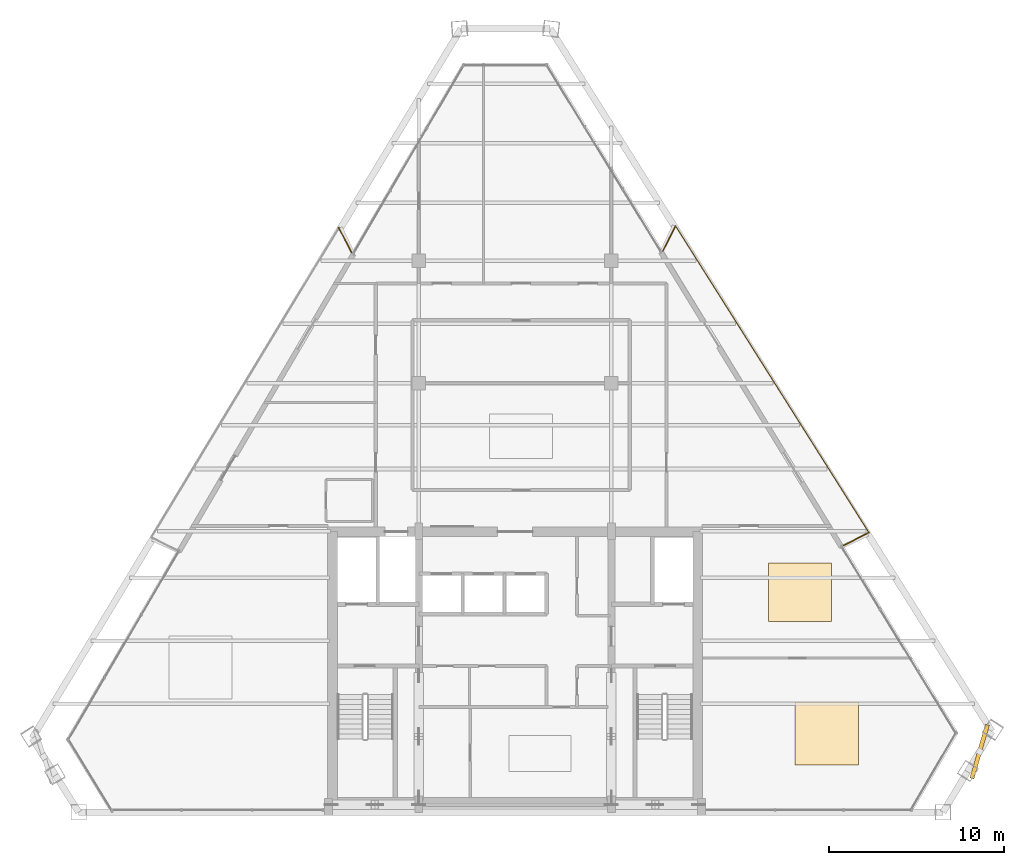
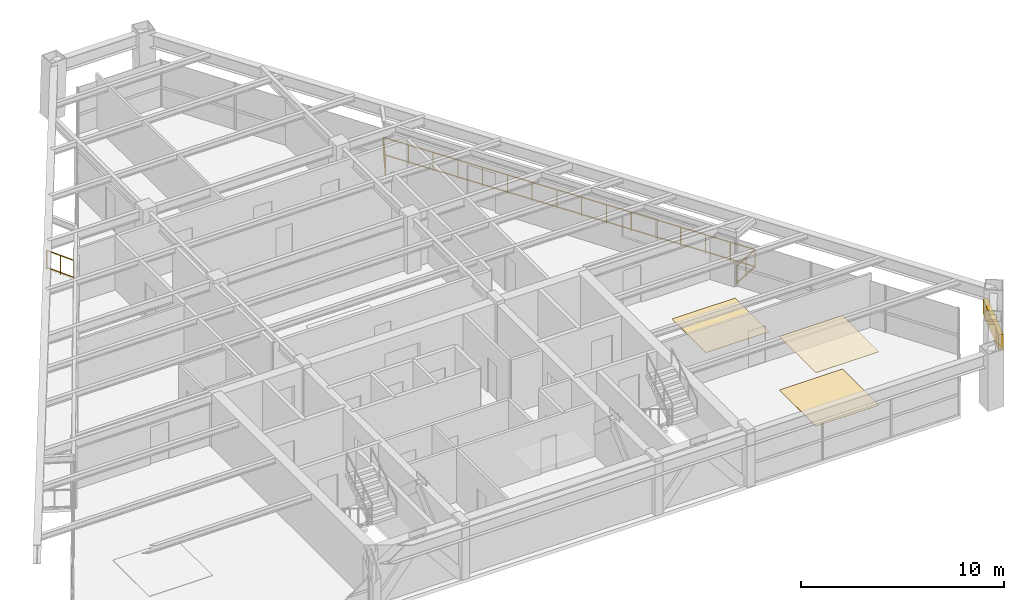
# One storey, part 13 of 13: 4 railings, 3 coverings, 1 shading device.
"""IFC4 building model written with IfcOpenShell, lengths in metres."""

from ifc_helpers import new_model, si_unit, direction, frame, origin, origin_2d, place, context, subcontext, project, spatial, rectangle, extrude, source, transform, mapped, material, layer, layer_set, type_object, type_shapes, element, save


model = new_model("IFC4")

# Units and contexts
model_context = context("Model", 3, precision=1e-05, world=origin(), true_north=direction((0.0, 1.0)))
body_context = subcontext(model_context, "Body", "Model", "MODEL_VIEW")
ifc_project = project(units=[si_unit("LENGTHUNIT", "METRE"), si_unit("AREAUNIT", "SQUARE_METRE"), si_unit("VOLUMEUNIT", "CUBIC_METRE"), si_unit("PLANEANGLEUNIT", "RADIAN"), si_unit("MASSUNIT", "GRAM", prefix="KILO")], contexts=[model_context])

# Site, building, storey
site_placement = place(None, origin())
site = spatial("IfcSite", under=ifc_project, at=site_placement, CompositionType="ELEMENT")
building_placement = place(site_placement, origin())
building = spatial("IfcBuilding", under=site, at=building_placement, Name="Varnakhor Terracotta Tower", CompositionType="ELEMENT")
storey_placement = place(building_placement, frame((0.0, 0.0, 247.60009765625)))
storey = spatial("IfcBuildingStorey", under=building, at=storey_placement, Name="L64", CompositionType="ELEMENT", Elevation=247.60009765625)

# Railings
ifc_material_1 = material(Name="Stainless Steel & Laminated Glass Guardrail", Category="steel")
railing_type = type_object("IfcRailingType", Name="RLG-LOGGIA-GUARD-1150", PredefinedType="GUARDRAIL", material=ifc_material_1)
railing_1_placement = place(storey_placement, frame((8.443359375, 32.0625, 0.0)))
element("IfcRailing", 1, at=railing_1_placement, inside=storey, type_object=railing_type, Name="L64 E Loggia Glass Guard 1", PredefinedType="GUARDRAIL", context=body_context, shape_type="SweptSolid", body=[
    extrude(rectangle(XDim=0.048095703125, YDim=0.048095703125, at=origin_2d()), frame((0.0, 0.0, 1.1259765625), z_axis=(0.45388673083, 0.891059389478, 0.0), x_axis=(-0.891059389478, 0.45388673083, 0.0)), (0.0, 0.0, 1.0), 1.592041015625),
    extrude(rectangle(XDim=0.048095703125, YDim=0.048095703125, at=origin_2d()), frame((0.0, 0.0, 0.10009765625), z_axis=(0.45388673083, 0.891059389478, 0.0), x_axis=(-0.891059389478, 0.45388673083, 0.0)), (0.0, 0.0, 1.0), 1.592041015625),
    extrude(rectangle(XDim=0.0419921875, YDim=0.0419921875, at=origin_2d()), origin(), (0.0, 0.0, 1.0), 1.101806640625),
    extrude(rectangle(XDim=0.0419921875, YDim=0.0419921875, at=origin_2d()), frame((0.361328125, 0.70947265625, 0.0)), (0.0, 0.0, 1.0), 1.101806640625),
    extrude(rectangle(XDim=0.0419921875, YDim=0.0419921875, at=origin_2d()), frame((0.72265625, 1.418701171875, 0.0)), (0.0, 0.0, 1.0), 1.101806640625),
])
railing_2_placement = place(storey_placement, frame((9.166015625, 33.481201171875, 0.0)))
element("IfcRailing", 2, at=railing_2_placement, inside=storey, type_object=railing_type, Name="L64 E Loggia Glass Guard 2", PredefinedType="GUARDRAIL", context=body_context, shape_type="SweptSolid", body=[
    extrude(rectangle(XDim=0.048095703125, YDim=0.048095703125, at=origin_2d()), frame((0.0, 0.0, 1.1259765625), z_axis=(0.533340750421, -0.845900492931, 0.0), x_axis=(0.845900492931, 0.533340750421, 0.0)), (0.0, 0.0, 1.0), 20.69287109375),
    extrude(rectangle(XDim=0.048095703125, YDim=0.048095703125, at=origin_2d()), frame((0.0, 0.0, 0.10009765625), z_axis=(0.533340750421, -0.845900492931, 0.0), x_axis=(0.845900492931, 0.533340750421, 0.0)), (0.0, 0.0, 1.0), 20.69287109375),
    extrude(rectangle(XDim=0.0419921875, YDim=0.0419921875, at=origin_2d()), origin(), (0.0, 0.0, 1.0), 1.101806640625),
    extrude(rectangle(XDim=0.0419921875, YDim=0.0419921875, at=origin_2d()), frame((0.73583984375, -1.1669921875, 0.0)), (0.0, 0.0, 1.0), 1.101806640625),
    extrude(rectangle(XDim=0.0419921875, YDim=0.0419921875, at=origin_2d()), frame((1.471435546875, -2.333984375, 0.0)), (0.0, 0.0, 1.0), 1.101806640625),
    extrude(rectangle(XDim=0.0419921875, YDim=0.0419921875, at=origin_2d()), frame((2.207275390625, -3.500732421875, 0.0)), (0.0, 0.0, 1.0), 1.101806640625),
    extrude(rectangle(XDim=0.0419921875, YDim=0.0419921875, at=origin_2d()), frame((2.943115234375, -4.667724609375, 0.0)), (0.0, 0.0, 1.0), 1.101806640625),
    extrude(rectangle(XDim=0.0419921875, YDim=0.0419921875, at=origin_2d()), frame((3.6787109375, -5.834716796875, 0.0)), (0.0, 0.0, 1.0), 1.101806640625),
    extrude(rectangle(XDim=0.0419921875, YDim=0.0419921875, at=origin_2d()), frame((4.41455078125, -7.001708984375, 0.0)), (0.0, 0.0, 1.0), 1.101806640625),
    extrude(rectangle(XDim=0.0419921875, YDim=0.0419921875, at=origin_2d()), frame((5.150390625, -8.168701171875, 0.0)), (0.0, 0.0, 1.0), 1.101806640625),
    extrude(rectangle(XDim=0.0419921875, YDim=0.0419921875, at=origin_2d()), frame((5.885986328125, -9.33544921875, 0.0)), (0.0, 0.0, 1.0), 1.101806640625),
    extrude(rectangle(XDim=0.0419921875, YDim=0.0419921875, at=origin_2d()), frame((6.621826171875, -10.50244140625, 0.0)), (0.0, 0.0, 1.0), 1.101806640625),
    extrude(rectangle(XDim=0.0419921875, YDim=0.0419921875, at=origin_2d()), frame((7.357666015625, -11.66943359375, 0.0)), (0.0, 0.0, 1.0), 1.101806640625),
    extrude(rectangle(XDim=0.0419921875, YDim=0.0419921875, at=origin_2d()), frame((8.09326171875, -12.83642578125, 0.0)), (0.0, 0.0, 1.0), 1.101806640625),
    extrude(rectangle(XDim=0.0419921875, YDim=0.0419921875, at=origin_2d()), frame((8.8291015625, -14.00341796875, 0.0)), (0.0, 0.0, 1.0), 1.101806640625),
    extrude(rectangle(XDim=0.0419921875, YDim=0.0419921875, at=origin_2d()), frame((9.56494140625, -15.170166015625, 0.0)), (0.0, 0.0, 1.0), 1.101806640625),
    extrude(rectangle(XDim=0.0419921875, YDim=0.0419921875, at=origin_2d()), frame((10.300537109375, -16.337158203125, 0.0)), (0.0, 0.0, 1.0), 1.101806640625),
    extrude(rectangle(XDim=0.0419921875, YDim=0.0419921875, at=origin_2d()), frame((11.036376953125, -17.504150390625, 0.0)), (0.0, 0.0, 1.0), 1.101806640625),
])
railing_3_placement = place(storey_placement, frame((20.202392578125, 15.97705078125, 0.0)))
element("IfcRailing", 3, at=railing_3_placement, inside=storey, type_object=railing_type, Name="L64 E Loggia Glass Guard 3", PredefinedType="GUARDRAIL", context=body_context, shape_type="SweptSolid", body=[
    extrude(rectangle(XDim=0.048095703125, YDim=0.048095703125, at=origin_2d()), frame((0.0, 0.0, 1.1259765625), z_axis=(-0.888756462103, -0.458379701853, 0.0), x_axis=(0.458379701853, -0.888756462103, 0.0)), (0.0, 0.0, 1.0), 1.63037109375),
    extrude(rectangle(XDim=0.048095703125, YDim=0.048095703125, at=origin_2d()), frame((0.0, 0.0, 0.10009765625), z_axis=(-0.888756462103, -0.458379701853, 0.0), x_axis=(0.458379701853, -0.888756462103, 0.0)), (0.0, 0.0, 1.0), 1.63037109375),
    extrude(rectangle(XDim=0.0419921875, YDim=0.0419921875, at=origin_2d()), origin(), (0.0, 0.0, 1.0), 1.101806640625),
    extrude(rectangle(XDim=0.0419921875, YDim=0.0419921875, at=origin_2d()), frame((-0.724609375, -0.37353515625, 0.0)), (0.0, 0.0, 1.0), 1.101806640625),
    extrude(rectangle(XDim=0.0419921875, YDim=0.0419921875, at=origin_2d()), frame((-1.448974609375, -0.747314453125, 0.0)), (0.0, 0.0, 1.0), 1.101806640625),
])
railing_4_placement = place(storey_placement, frame((-10.0654296875, 33.373291015625, 0.0)))
element("IfcRailing", 4, at=railing_4_placement, inside=storey, type_object=railing_type, Name="L64 W Loggia Glass Guard 3", PredefinedType="GUARDRAIL", context=body_context, shape_type="SweptSolid", body=[
    extrude(rectangle(XDim=0.048095703125, YDim=0.048095703125, at=origin_2d()), frame((0.0, 0.0, 1.1259765625), z_axis=(0.457139750595, -0.88939487767, 0.0), x_axis=(0.88939487767, 0.457139750595, 0.0)), (0.0, 0.0, 1.0), 1.58935546875),
    extrude(rectangle(XDim=0.048095703125, YDim=0.048095703125, at=origin_2d()), frame((0.0, 0.0, 0.10009765625), z_axis=(0.457139750595, -0.88939487767, 0.0), x_axis=(0.88939487767, 0.457139750595, 0.0)), (0.0, 0.0, 1.0), 1.58935546875),
    extrude(rectangle(XDim=0.0419921875, YDim=0.0419921875, at=origin_2d()), origin(), (0.0, 0.0, 1.0), 1.101806640625),
    extrude(rectangle(XDim=0.0419921875, YDim=0.0419921875, at=origin_2d()), frame((0.36328125, -0.706787109375, 0.0)), (0.0, 0.0, 1.0), 1.101806640625),
    extrude(rectangle(XDim=0.0419921875, YDim=0.0419921875, at=origin_2d()), frame((0.7265625, -1.41357421875, 0.0)), (0.0, 0.0, 1.0), 1.101806640625),
])

# Shading device
ifc_material_2 = material(Name="Extruded Architectural Terracotta Screen", Category="masonry")
shading_device_type = type_object("IfcShadingDeviceType", Name="TERRACOTTA SOLAR SCREEN E", PredefinedType="USERDEFINED", material=ifc_material_2)
shared_shape_1 = source(origin(), body_context, "Body", "SweptSolid", [
    extrude(rectangle(XDim=3.199951171875, YDim=0.239990234375, at=origin_2d()), origin(), (0.0, 0.0, 1.0), 0.919921875),
])
type_shapes(shading_device_type, [shared_shape_1])
shading_device_placement = place(storey_placement, frame((26.53271484375, 3.46044921875, 1.56201171875), z_axis=(0.0, 0.0, 1.0), x_axis=(0.278136221012, 0.960541640202, 0.0)))
element("IfcShadingDevice", 5, at=shading_device_placement, inside=storey, type_object=shading_device_type, Name="L64 E Terracotta Solar Screen", ObjectType="SCREEN", PredefinedType="USERDEFINED", context=body_context, shape_type="MappedRepresentation", body=[
    mapped(shared_shape_1, transform((0.0, 0.0, 0.0), scale=1.0)),
])

# Coverings
ifc_material_3 = material(Name="Honed Riyadh Limestone Flooring", Category="masonry")
ifc_layer_1 = layer(ifc_material_3, 0.030029296875, Name="Honed Riyadh Limestone Flooring")
ifc_layer_set_1 = layer_set([ifc_layer_1], Name="Honed Riyadh Limestone Flooring")
covering_type_1 = type_object("IfcCoveringType", Name="COV-FLOOR-LIMESTONE", PredefinedType="FLOORING", material=ifc_layer_set_1)
shared_shape_2 = source(origin(), body_context, "Body", "SweptSolid", [
    extrude(rectangle(XDim=3.60009765625, YDim=3.60009765625, at=origin_2d()), origin(), (0.0, 0.0, 1.0), 0.02001953125),
])
covering_1_placement = place(storey_placement, frame((17.800048828125, 4.50390625, 0.0), z_axis=(0.0, 0.0, 1.0), x_axis=(1.0, 0.0, 0.0)))
element("IfcCovering", 6, at=covering_1_placement, inside=storey, type_object=covering_type_1, Name="L64 Honed Stone Flooring 2", PredefinedType="FLOORING", context=body_context, shape_type="MappedRepresentation", body=[
    mapped(shared_shape_2, transform((0.0, 0.0, 0.0), scale=1.0)),
])
ifc_material_4 = material(Name="Perforated Acoustic Mineral-Fibre Ceiling", Category="gypsum")
ifc_layer_2 = layer(ifc_material_4, 0.02490234375, Name="Perforated Acoustic Mineral-Fibre Ceiling")
ifc_layer_set_2 = layer_set([ifc_layer_2], Name="Perforated Acoustic Mineral-Fibre Ceiling")
covering_type_2 = type_object("IfcCoveringType", Name="COV-CEILING-ACOUSTIC", PredefinedType="CEILING", material=ifc_layer_set_2)
shared_shape_3 = source(origin(), body_context, "Body", "SweptSolid", [
    extrude(rectangle(XDim=3.60009765625, YDim=3.60009765625, at=origin_2d()), origin(), (0.0, 0.0, 1.0), 0.02392578125),
])
covering_2_placement = place(storey_placement, frame((17.800048828125, 4.50390625, 3.2158203125), z_axis=(0.0, 0.0, 1.0), x_axis=(1.0, 0.0, 0.0)))
element("IfcCovering", 7, at=covering_2_placement, inside=storey, type_object=covering_type_2, Name="L64 Acoustic Ceiling Panel 2", PredefinedType="CEILING", context=body_context, shape_type="MappedRepresentation", body=[
    mapped(shared_shape_3, transform((0.0, 0.0, 0.0), scale=1.0)),
])
shared_shape_4 = source(origin(), body_context, "Body", "SweptSolid", [
    extrude(rectangle(XDim=3.60009765625, YDim=3.343994140625, at=origin_2d()), origin(), (0.0, 0.0, 1.0), 0.02001953125),
])
covering_3_placement = place(storey_placement, frame((16.264892578125, 12.56103515625, 0.0), z_axis=(0.0, 0.0, 1.0), x_axis=(1.0, 0.0, 0.0)))
element("IfcCovering", 8, at=covering_3_placement, inside=storey, type_object=covering_type_1, Name="L64 Honed Stone Flooring 4", PredefinedType="FLOORING", context=body_context, shape_type="MappedRepresentation", body=[
    mapped(shared_shape_4, transform((0.0, 0.0, 0.0), scale=1.0)),
])

save(model, "model.ifc")
